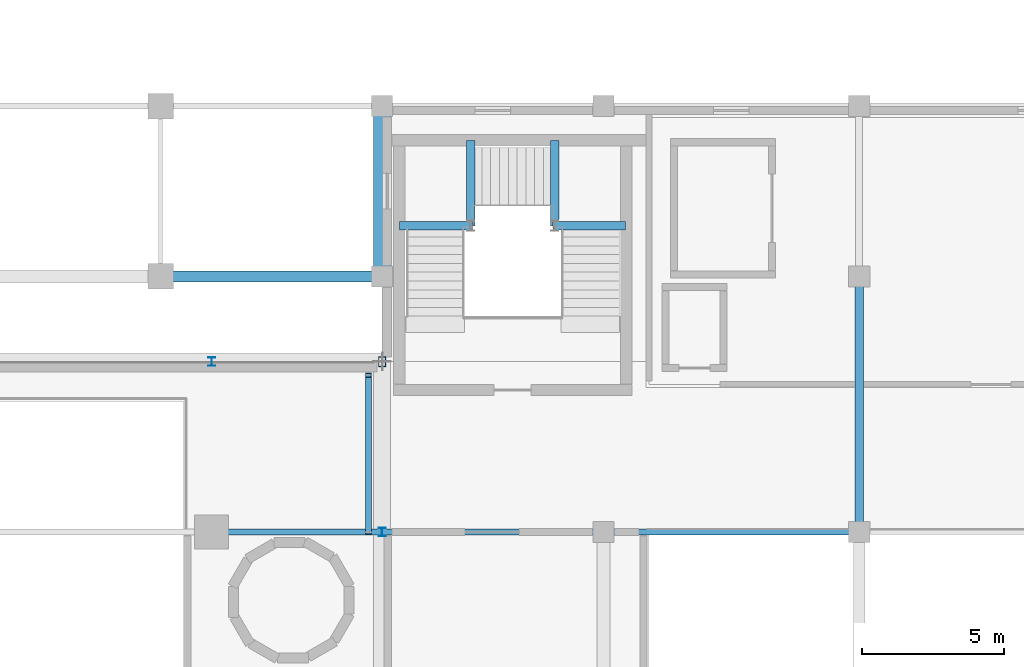
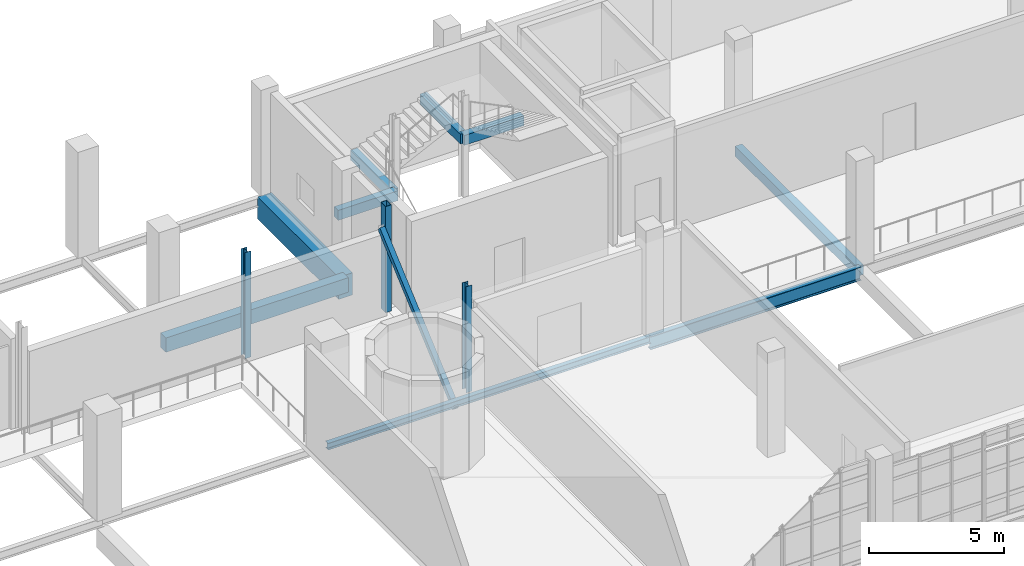
# One storey, part 45 of 102: 9 beams, 4 members.
"""IFC4 building model written with IfcOpenShell, lengths in metres."""

from ifc_helpers import new_model, si_unit, derived_unit, direction, frame, origin, origin_2d, place, context, subcontext, project, spatial, rectangle, hollow_rectangle, i_section, extrude, material, material_profile, profile_set, type_object, element, save


model = new_model("IFC4")

# Units and contexts
model_context = context("Model", 3, precision=1e-05, world=origin(), true_north=direction((0.0, 1.0)))
body_context = subcontext(model_context, "Body", "Model", "MODEL_VIEW")
ifc_project = project(units=[si_unit("LENGTHUNIT", "METRE"), si_unit("AREAUNIT", "SQUARE_METRE"), si_unit("VOLUMEUNIT", "CUBIC_METRE"), si_unit("PLANEANGLEUNIT", "RADIAN"), si_unit("MASSUNIT", "GRAM", prefix="KILO"), derived_unit("THERMALTRANSMITTANCEUNIT", [(si_unit("POWERUNIT", "WATT"), 1), (si_unit("LENGTHUNIT", "METRE"), -2), (si_unit("THERMODYNAMICTEMPERATUREUNIT", "KELVIN"), -1)])], contexts=[model_context])

# Site, building, storey
site_placement = place(None, origin())
site = spatial("IfcSite", under=ifc_project, at=site_placement, CompositionType="ELEMENT")
building_placement = place(site_placement, origin())
building = spatial("IfcBuilding", under=site, at=building_placement, Name="Nallur Shell Playhouse", CompositionType="ELEMENT")
storey_placement = place(building_placement, frame((0.0, 0.0, 15.0)))
storey = spatial("IfcBuildingStorey", under=building, at=storey_placement, Name="L04", CompositionType="ELEMENT", Elevation=15.0)

# Beams
ifc_material_1 = material(Name="Concrete M35", Category="concrete")
ifc_material_profile_1 = material_profile(ifc_material_1, rectangle(XDim=0.39990234375, YDim=0.64990234375, at=origin_2d()), Name="RC 400x650")
ifc_profile_set_1 = profile_set([ifc_material_profile_1], Name="Concrete M35")
beam_type_1 = type_object("IfcBeamType", Name="BM-RC-400x650", PredefinedType="BEAM", material=ifc_profile_set_1)
beam_1_placement = place(storey_placement, frame((110.800048828125, 50.0, -0.5849609375), z_axis=(1.0, 0.0, 0.0), x_axis=(0.0, 1.0, 0.0)))
element("IfcBeam", 1, at=beam_1_placement, inside=storey, type_object=beam_type_1, Name="L04 girder X-F-783", PredefinedType="BEAM", context=body_context, shape_type="SweptSolid", body=[
    extrude(rectangle(XDim=0.39990234375, YDim=0.64990234375, at=origin_2d()), origin(), (0.0, 0.0, 1.0), 7.800048828125),
])
ifc_material_2 = material(Name="Concrete M40", Category="concrete")
ifc_material_profile_2 = material_profile(ifc_material_2, rectangle(XDim=0.60009765625, YDim=1.0, at=origin_2d()), Name="RC 600x1000")
ifc_profile_set_2 = profile_set([ifc_material_profile_2], Name="Concrete M40")
beam_type_2 = type_object("IfcBeamType", Name="BM-RC-600x1000", PredefinedType="BEAM", material=ifc_profile_set_2)
beam_2_placement = place(storey_placement, frame((118.60009765625, 50.0, -0.760009765625), z_axis=(0.0, 1.0, 0.0), x_axis=(-1.0, 0.0, 0.0)))
element("IfcBeam", 2, at=beam_2_placement, inside=storey, type_object=beam_type_2, Name="L04 girder Y-15-860", PredefinedType="BEAM", context=body_context, shape_type="SweptSolid", body=[
    extrude(rectangle(XDim=0.60009765625, YDim=1.0, at=origin_2d()), origin(), (0.0, 0.0, 1.0), 6.0),
])
ifc_material_profile_3 = material_profile(ifc_material_1, rectangle(XDim=0.300048828125, YDim=0.449951171875, at=origin_2d()), Name="RC 300x450")
ifc_profile_set_3 = profile_set([ifc_material_profile_3], Name="Concrete M35")
beam_type_3 = type_object("IfcBeamType", Name="BM-SPN-300x450", PredefinedType="SPANDREL", material=ifc_profile_set_3)
beam_3_placement = place(storey_placement, frame((135.39990234375, 41.0, -0.485107421875), z_axis=(0.0, 1.0, 0.0), x_axis=(-1.0, 0.0, 0.0)))
element("IfcBeam", 3, at=beam_3_placement, inside=storey, type_object=beam_type_3, Name="L04 girder Y-17-864", PredefinedType="SPANDREL", context=body_context, shape_type="SweptSolid", body=[
    extrude(rectangle(XDim=0.300048828125, YDim=0.449951171875, at=origin_2d()), origin(), (0.0, 0.0, 1.0), 9.0),
])
beam_4_placement = place(storey_placement, frame((119.219970703125, 51.780029296875, 1.22509765625), z_axis=(1.0, 0.0, 0.0), x_axis=(0.0, 1.0, 0.0)))
element("IfcBeam", 4, at=beam_4_placement, inside=storey, type_object=beam_type_3, Name="Stair ST-02-L04 L1 south bearer beam", PredefinedType="SPANDREL", context=body_context, shape_type="SweptSolid", body=[
    extrude(rectangle(XDim=0.300048828125, YDim=0.449951171875, at=origin_2d()), origin(), (0.0, 0.0, 1.0), 2.56005859375),
])
beam_5_placement = place(storey_placement, frame((121.719970703125, 51.780029296875, 1.22509765625), z_axis=(0.0, 1.0, 0.0), x_axis=(-1.0, 0.0, 0.0)))
element("IfcBeam", 5, at=beam_5_placement, inside=storey, type_object=beam_type_3, Name="Stair ST-02-L04 L1 east bearer beam", PredefinedType="SPANDREL", context=body_context, shape_type="SweptSolid", body=[
    extrude(rectangle(XDim=0.300048828125, YDim=0.449951171875, at=origin_2d()), origin(), (0.0, 0.0, 1.0), 3.0),
])
beam_6_placement = place(storey_placement, frame((124.6201171875, 51.780029296875, 2.72509765625), z_axis=(1.0, 0.0, 0.0), x_axis=(0.0, 1.0, 0.0)))
element("IfcBeam", 6, at=beam_6_placement, inside=storey, type_object=beam_type_3, Name="Stair ST-02-L04 L2 south bearer beam", PredefinedType="SPANDREL", context=body_context, shape_type="SweptSolid", body=[
    extrude(rectangle(XDim=0.300048828125, YDim=0.449951171875, at=origin_2d()), origin(), (0.0, 0.0, 1.0), 2.559814453125),
])
beam_7_placement = place(storey_placement, frame((124.679931640625, 51.780029296875, 2.72509765625), z_axis=(0.0, 1.0, 0.0), x_axis=(-1.0, 0.0, 0.0)))
element("IfcBeam", 7, at=beam_7_placement, inside=storey, type_object=beam_type_3, Name="Stair ST-02-L04 L2 west bearer beam", PredefinedType="SPANDREL", context=body_context, shape_type="SweptSolid", body=[
    extrude(rectangle(XDim=0.300048828125, YDim=0.449951171875, at=origin_2d()), origin(), (0.0, 0.0, 1.0), 3.0),
])
ifc_material_3 = material(Name="Steel E350", Category="steel")
ifc_material_profile_4 = material_profile(ifc_material_3, i_section(OverallWidth=0.2099609375, OverallDepth=0.60009765625, WebThickness=0.011962890625, FlangeThickness=0.020751953125, FilletRadius=0.02001953125, at=origin_2d()), Name="ISMB 600")
ifc_profile_set_4 = profile_set([ifc_material_profile_4], Name="Steel E350")
beam_type_4 = type_object("IfcBeamType", Name="BM-ST-ISMB600", PredefinedType="BEAM", material=ifc_profile_set_4)
beam_8_placement = place(storey_placement, frame((126.39990234375, 41.0, -0.56005859375), z_axis=(1.0, 0.0, 0.0), x_axis=(0.0, 1.0, 0.0)))
element("IfcBeam", 8, at=beam_8_placement, inside=storey, type_object=beam_type_4, Name="L04 girder X-E-776", PredefinedType="BEAM", context=body_context, shape_type="SweptSolid", body=[
    extrude(i_section(OverallWidth=0.2099609375, OverallDepth=0.60009765625, WebThickness=0.011962890625, FlangeThickness=0.020751953125, FilletRadius=0.02001953125, at=origin_2d()), origin(), (0.0, 0.0, 1.0), 9.0),
])
ifc_material_4 = material(Name="Steel E250", Category="steel")
ifc_material_profile_5 = material_profile(ifc_material_4, i_section(OverallWidth=0.199951171875, OverallDepth=0.300048828125, WebThickness=0.00732421875, FlangeThickness=0.010009765625, FilletRadius=0.010986328125, at=origin_2d()), Name="ISWB 300")
ifc_profile_set_5 = profile_set([ifc_material_profile_5], Name="Steel E250")
beam_type_5 = type_object("IfcBeamType", Name="BM-ST-ISWB300", PredefinedType="BEAM", material=ifc_profile_set_5)
beam_9_placement = place(storey_placement, frame((112.60009765625, 41.0, -0.409912109375), z_axis=(1.0, 0.0, 0.0), x_axis=(0.0, 1.0, 0.0)))
element("IfcBeam", 9, at=beam_9_placement, inside=storey, type_object=beam_type_5, Name="L04 girder X-E-775", PredefinedType="BEAM", context=body_context, shape_type="SweptSolid", body=[
    extrude(i_section(OverallWidth=0.199951171875, OverallDepth=0.300048828125, WebThickness=0.00732421875, FlangeThickness=0.010009765625, FilletRadius=0.010986328125, at=origin_2d()), origin(), (0.0, 0.0, 1.0), 13.7998046875),
])

# Members
ifc_material_profile_6 = material_profile(ifc_material_3, i_section(OverallWidth=0.25, OverallDepth=0.300048828125, WebThickness=0.009521484375, FlangeThickness=0.010498046875, FilletRadius=0.010986328125, at=origin_2d()), Name="ISHB 300")
ifc_profile_set_6 = profile_set([ifc_material_profile_6], Name="Steel E350")
member_type_1 = type_object("IfcMemberType", Name="MB-FASCIA-POST", PredefinedType="POST", material=ifc_profile_set_6)
for number, where, z_axis, x_axis, name in (
    (10, (112.60009765625, 47.0, 0.0), (0.0, 0.0, 1.0), (1.0, 0.0, 0.0), "Cantilever truss fascia post POST-GB-L04-10"),
    (11, (118.60009765625, 41.0, 0.0), (0.0, 0.0, 1.0), (1.0, 0.0, 0.0), "Cantilever truss fascia post POST-GB-L04-15"),
):
    element("IfcMember", number, at=place(storey_placement, frame(where, z_axis=z_axis, x_axis=x_axis)), inside=storey, type_object=member_type_1, Name=name, PredefinedType="POST", context=body_context, shape_type="SweptSolid", body=[
        extrude(i_section(OverallWidth=0.25, OverallDepth=0.300048828125, WebThickness=0.009521484375, FlangeThickness=0.010498046875, FilletRadius=0.010986328125, at=origin_2d()), origin(), (0.0, 0.0, 1.0), 4.800048828125),
    ])
ifc_material_profile_7 = material_profile(ifc_material_3, hollow_rectangle(XDim=0.25, YDim=0.35009765625, WallThickness=0.01611328125, at=origin_2d()), Name="RHS 350x250x16")
ifc_profile_set_7 = profile_set([ifc_material_profile_7], Name="Steel E350")
member_type_2 = type_object("IfcMemberType", Name="MB-FASCIA-RHS", PredefinedType="POST", material=ifc_profile_set_7)
member_1_placement = place(storey_placement, frame((118.60009765625, 47.0, 0.0), z_axis=(0.0, 0.0, 1.0), x_axis=(1.0, 0.0, 0.0)))
element("IfcMember", 12, at=member_1_placement, inside=storey, type_object=member_type_2, Name="Cantilever truss fascia post POST-GB-L04-11", PredefinedType="POST", context=body_context, shape_type="SweptSolid", body=[
    extrude(hollow_rectangle(XDim=0.25, YDim=0.35009765625, WallThickness=0.01611328125, at=origin_2d()), origin(), (0.0, 0.0, 1.0), 4.800048828125),
])
ifc_material_profile_8 = material_profile(ifc_material_3, hollow_rectangle(XDim=0.219970703125, YDim=0.219970703125, WallThickness=0.011962890625, at=origin_2d()), Name="SHS 220x220x12")
ifc_profile_set_8 = profile_set([ifc_material_profile_8], Name="Steel E350")
member_type_3 = type_object("IfcMemberType", Name="MB-FT-BRACE2", PredefinedType="BRACE", material=ifc_profile_set_8)
member_2_placement = place(storey_placement, frame((118.1201171875, 41.0, -0.659912109375), z_axis=(0.0, 0.753942534028, 0.656940374298), x_axis=(-1.0, 0.0, 0.0)))
element("IfcMember", 13, at=member_2_placement, inside=storey, type_object=member_type_3, Name="Gold box fascia brace L04-4", PredefinedType="BRACE", context=body_context, shape_type="SweptSolid", body=[
    extrude(hollow_rectangle(XDim=0.219970703125, YDim=0.219970703125, WallThickness=0.011962890625, at=origin_2d()), origin(), (0.0, 0.0, 1.0), 7.321533203125),
])

save(model, "model.ifc")
